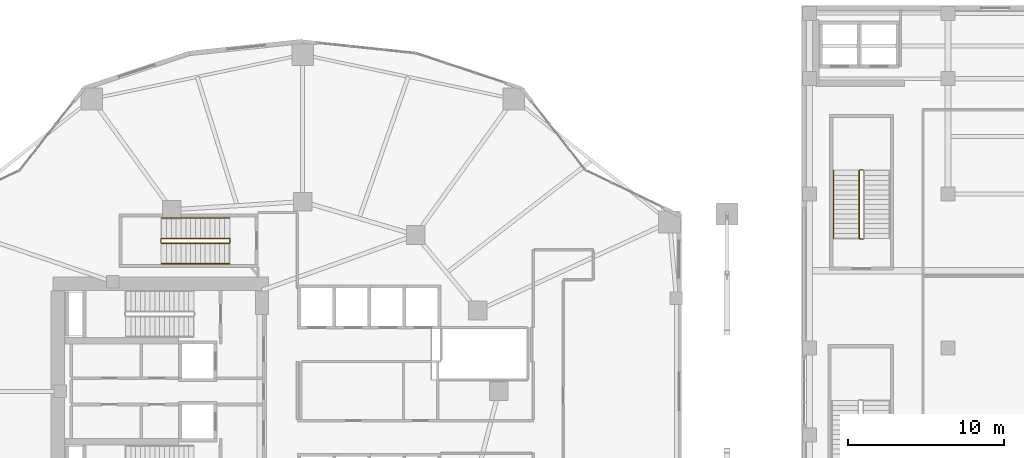
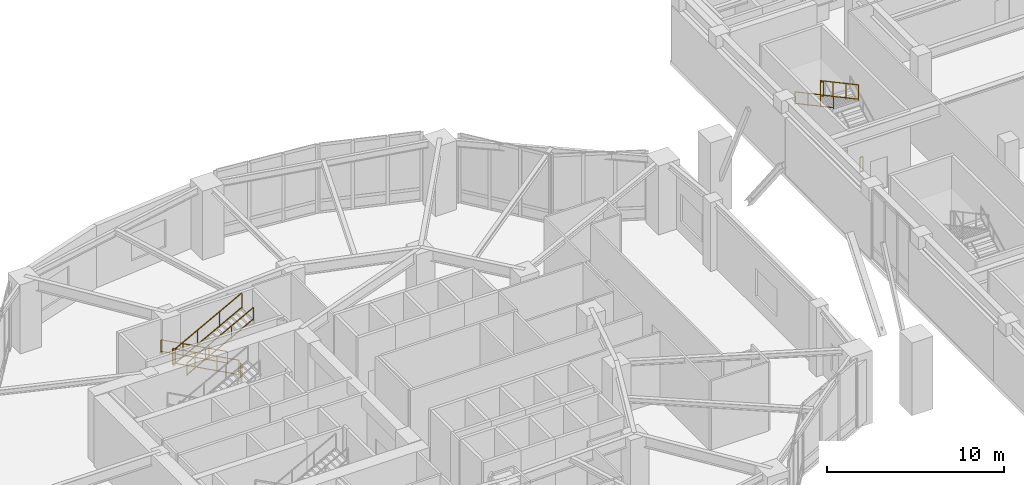
# One storey, part 23 of 24: 10 railings.
"""IFC4 building model written with IfcOpenShell, lengths in metres."""

import ifcopenshell
import ifcopenshell.guid

model = None  # the IFC model being written
_history = None  # IfcOwnerHistory: only IFC2X3 demands one
_inside = {}  # id of a spatial element -> (the spatial element, [elements in it])
_under = {}  # id of a project, library or spatial element -> (it, [spatial elements below it])
_declared = {}  # id of a project -> (the project, [libraries it declares])
_typed = {}  # id of a type object -> (the type object, [elements of that type])
_made_of = {}  # id of a material, layer set ... -> (it, [elements and type objects made of it])


def new_model(schema):
    """Start an empty IFC model of exactly this schema.

    Asked for "IFC4X3", IfcOpenShell would pick the latest addendum, in which some entities
    have other attributes; the version numbers below select the first issue.
    IFC2X3 requires an IfcOwnerHistory on every rooted entity: one is made here for all.
    """
    global model, _history
    if schema == "IFC4X3":
        model = ifcopenshell.file(schema_version=(4, 3, 0, 0))
    else:
        model = ifcopenshell.file(schema=schema)
    _inside.clear()
    _under.clear()
    _declared.clear()
    _typed.clear()
    _made_of.clear()
    _history = None
    if model.schema == "IFC2X3":
        org = make("IfcOrganization", Name="unknown")
        user = make(
            "IfcPersonAndOrganization",
            ThePerson=make("IfcPerson", FamilyName="unknown"),
            TheOrganization=org,
        )
        app = make(
            "IfcApplication",
            ApplicationDeveloper=org,
            Version="unknown",
            ApplicationFullName="unknown",
            ApplicationIdentifier="unknown",
        )
        _history = make(
            "IfcOwnerHistory",
            OwningUser=user,
            OwningApplication=app,
            ChangeAction="ADDED",
            CreationDate=0,
        )
    return model


def make(cls, **values):
    """One entity of the class cls with the attributes given. An attribute that is None is left unset."""
    return model.create_entity(
        cls, **{name: value for name, value in values.items() if value is not None}
    )


def rooted(cls, **values):
    """An entity with a GlobalId (a new one), such as an element, a storey or a relation."""
    return make(cls, GlobalId=ifcopenshell.guid.new(), OwnerHistory=_history, **values)


def si_unit(unit_type, name, prefix=None):
    """IfcSIUnit, for example si_unit("LENGTHUNIT", "METRE", prefix="MILLI")."""
    return make("IfcSIUnit", UnitType=unit_type, Prefix=prefix, Name=name)


def assignment(units):
    """IfcUnitAssignment: the units of a project."""
    return None if units is None else make("IfcUnitAssignment", Units=units)


def point(xyz):
    """IfcCartesianPoint."""
    return None if xyz is None else make("IfcCartesianPoint", Coordinates=xyz)


def direction(xyz):
    """IfcDirection."""
    return None if xyz is None else make("IfcDirection", DirectionRatios=xyz)


def frame(location, z_axis=None, x_axis=None):
    """IfcAxis2Placement3D, a coordinate frame: its origin and axes. An axis left out is left unset."""
    return make(
        "IfcAxis2Placement3D",
        Location=point(location),
        Axis=direction(z_axis),
        RefDirection=direction(x_axis),
    )


def frame_2d(location, x_axis=None):
    """IfcAxis2Placement2D, a coordinate frame in the plane: its origin and x axis."""
    return make(
        "IfcAxis2Placement2D", Location=point(location), RefDirection=direction(x_axis)
    )


def origin():
    """The frame at (0, 0, 0) with its axes left unset."""
    return frame((0.0, 0.0, 0.0))


def origin_2d():
    """The frame at (0, 0) in the plane with its x axis left unset."""
    return frame_2d((0.0, 0.0))


def place(relative_to, where):
    """IfcLocalPlacement: puts the frame where relative to a parent placement (None: the world)."""
    return make(
        "IfcLocalPlacement", PlacementRelTo=relative_to, RelativePlacement=where
    )


def context(
    kind, dimensions, precision=None, world=None, true_north=None, identifier=None
):
    """IfcGeometricRepresentationContext, for example the 3D "Model" context."""
    return make(
        "IfcGeometricRepresentationContext",
        ContextIdentifier=identifier,
        ContextType=kind,
        CoordinateSpaceDimension=dimensions,
        Precision=precision,
        WorldCoordinateSystem=world,
        TrueNorth=true_north,
    )


def subcontext(parent, identifier, kind, view, scale=None):
    """IfcGeometricRepresentationSubContext, for example "Body" below "Model"."""
    return make(
        "IfcGeometricRepresentationSubContext",
        ContextIdentifier=identifier,
        ContextType=kind,
        ParentContext=parent,
        TargetScale=scale,
        TargetView=view,
    )


def project(units=None, contexts=None):
    """IfcProject with its units and contexts."""
    return rooted(
        "IfcProject",
        Name="project",
        RepresentationContexts=contexts,
        UnitsInContext=assignment(units),
    )


def spatial(cls, under=None, at=None, **own):
    """A site, building, storey or space (cls), placed at a placement, below another one or the project."""
    s = rooted(cls, ObjectPlacement=at, **own)
    if under is not None:
        _under.setdefault(under.id(), (under, []))[1].append(s)
    return s


def profile(cls, at=None, kind="AREA", **sizes):
    """A parametric profile (cls). Its sizes go by their IFC names, for example OverallWidth=200.0."""
    return make(cls, ProfileType=kind, Position=at, **sizes)


def rectangle(**sizes):
    """IfcRectangleProfileDef."""
    return profile("IfcRectangleProfileDef", **sizes)


def extrude(swept, where, along, depth):
    """IfcExtrudedAreaSolid: the profile swept, set in the frame where, extruded along a direction by depth."""
    return make(
        "IfcExtrudedAreaSolid",
        SweptArea=swept,
        Position=where,
        ExtrudedDirection=direction(along),
        Depth=depth,
    )


def shape(context_of_items, identifier, shape_type, items):
    """IfcShapeRepresentation: the items that make up one representation, for example the "Body"."""
    return make(
        "IfcShapeRepresentation",
        ContextOfItems=context_of_items,
        RepresentationIdentifier=identifier,
        RepresentationType=shape_type,
        Items=items,
    )


def material(Name=None, Category=None):
    """IfcMaterial."""
    return make("IfcMaterial", Name=Name, Category=Category)


def made_of(thing, what):
    """Note that an element or type object is made of a material, layer set ...; save() writes the relation."""
    if what is not None:
        _made_of.setdefault(what.id(), (what, []))[1].append(thing)
    return thing


def type_object(cls, material=None, **own):
    """A type object (cls), such as IfcWallType, which elements share."""
    return made_of(rooted(cls, **own), material)


def element(
    cls,
    number,
    at=None,
    inside=None,
    cuts=None,
    type_object=None,
    material=None,
    context=None,
    identifier="Body",
    shape_type=None,
    held_by="IfcProductDefinitionShape",
    body=None,
    shapes=None,
    **own,
):
    """One element of the class cls, such as IfcWall. Its Tag is "e" and its number.

    at: its placement. inside: the storey or other place that contains it. cuts: it is an
    opening in that element (IfcRelVoidsElement). A single representation is given by context,
    identifier, shape_type and body (its items); several are given by shapes. held_by: the class
    of the entity that holds the representations. save() writes the other relations.
    """
    e = rooted(cls, Tag="e%d" % number, ObjectPlacement=at, **own)
    if body is not None:
        shapes = [shape(context, identifier, shape_type, body)]
    if shapes is not None:
        e.Representation = make(held_by, Representations=shapes)
    if inside is not None:
        _inside.setdefault(inside.id(), (inside, []))[1].append(e)
    if cuts is not None:
        rooted(
            "IfcRelVoidsElement", RelatingBuildingElement=cuts, RelatedOpeningElement=e
        )
    if type_object is not None:
        _typed.setdefault(type_object.id(), (type_object, []))[1].append(e)
    return made_of(e, material)


def aggregate(whole, parts):
    """IfcRelAggregates: a whole, such as a stair, and the parts it consists of."""
    return rooted("IfcRelAggregates", RelatingObject=whole, RelatedObjects=parts)


def save(model, path):
    """Write the relations noted so far, then the file.

    IfcRelAggregates (storeys below a building ...), IfcRelContainedInSpatialStructure (elements
    in a storey), IfcRelDefinesByType, IfcRelAssociatesMaterial and IfcRelDeclares: one each for
    every whole, place, type object, material and project.
    """
    for whole, parts in _under.values():
        aggregate(whole, parts)
    for where, things in _inside.values():
        rooted(
            "IfcRelContainedInSpatialStructure",
            RelatedElements=things,
            RelatingStructure=where,
        )
    for kind, things in _typed.values():
        rooted("IfcRelDefinesByType", RelatedObjects=things, RelatingType=kind)
    for what, things in _made_of.values():
        rooted("IfcRelAssociatesMaterial", RelatedObjects=things, RelatingMaterial=what)
    for by, libraries in _declared.values():
        rooted("IfcRelDeclares", RelatingContext=by, RelatedDefinitions=libraries)
    model.write(path)


model = new_model("IFC4")

# Units and contexts
model_context = context("Model", 3, precision=1e-05, world=origin(), true_north=direction((0.0, 1.0)))
body_context = subcontext(model_context, "Body", "Model", "MODEL_VIEW")
ifc_project = project(units=[si_unit("LENGTHUNIT", "METRE"), si_unit("AREAUNIT", "SQUARE_METRE"), si_unit("VOLUMEUNIT", "CUBIC_METRE"), si_unit("PLANEANGLEUNIT", "RADIAN"), si_unit("MASSUNIT", "GRAM", prefix="KILO")], contexts=[model_context])

# Site, building, storey
site_placement = place(None, origin())
site = spatial("IfcSite", under=ifc_project, at=site_placement, CompositionType="ELEMENT")
building_placement = place(site_placement, origin())
building = spatial("IfcBuilding", under=site, at=building_placement, Name="Kolvaren Gate Tower and Convention Centre", CompositionType="ELEMENT")
storey_placement = place(building_placement, frame((0.0, 0.0, 10.0)))
storey = spatial("IfcBuildingStorey", under=building, at=storey_placement, Name="L02", CompositionType="ELEMENT", Elevation=10.0)

# Railings
ifc_material = material(Name="Brushed Stainless Steel Grade 316L", Category="steel")
railing_type_1 = type_object("IfcRailingType", Name="ARCH-RL-GUARD-1150", PredefinedType="GUARDRAIL", material=ifc_material)
railing_1_placement = place(storey_placement, frame((25.39990234375, 36.830078125, 0.166748046875)))
element("IfcRailing", 1, at=railing_1_placement, inside=storey, type_object=railing_type_1, Name="L02 ST-T3 stair guard 1", PredefinedType="GUARDRAIL", context=body_context, shape_type="SweptSolid", body=[
    extrude(rectangle(XDim=0.048095703125, YDim=0.048095703125, at=origin_2d()), frame((0.0, 0.0, 1.076171875), z_axis=(-0.8807748016, 0.0, 0.47353537235), x_axis=(0.0, -1.0, 0.0)), (0.0, 0.0, 1.0), 4.92724609375),
    extrude(rectangle(XDim=0.048095703125, YDim=0.048095703125, at=origin_2d()), frame((0.0, 0.0, 0.083984375), z_axis=(-0.8807748016, 0.0, 0.47353537235), x_axis=(0.0, -1.0, 0.0)), (0.0, 0.0, 1.0), 4.92724609375),
    extrude(rectangle(XDim=0.0419921875, YDim=0.0419921875, at=origin_2d()), origin(), (0.0, 0.0, 1.0), 1.050048828125),
    extrude(rectangle(XDim=0.0419921875, YDim=0.0419921875, at=origin_2d()), frame((-4.33984375, 0.0, 2.333251953125)), (0.0, 0.0, 1.0), 1.050048828125),
    extrude(rectangle(XDim=0.0419921875, YDim=0.0419921875, at=origin_2d()), frame((-1.446533203125, 0.0, 0.77783203125)), (0.0, 0.0, 1.0), 1.050048828125),
    extrude(rectangle(XDim=0.0419921875, YDim=0.0419921875, at=origin_2d()), frame((-2.893310546875, 0.0, 1.555419921875)), (0.0, 0.0, 1.0), 1.050048828125),
])
railing_2_placement = place(storey_placement, frame((21.010009765625, 36.780029296875, 2.5)))
element("IfcRailing", 2, at=railing_2_placement, inside=storey, type_object=railing_type_1, Name="L02 ST-T3 stair guard 2", PredefinedType="GUARDRAIL", context=body_context, shape_type="SweptSolid", body=[
    extrude(rectangle(XDim=0.048095703125, YDim=0.048095703125, at=origin_2d()), frame((0.0, 0.0, 1.076171875), z_axis=(0.0, -1.0, 0.0), x_axis=(1.0, 0.0, 0.0)), (0.0, 0.0, 1.0), 0.199951171875),
    extrude(rectangle(XDim=0.048095703125, YDim=0.048095703125, at=origin_2d()), frame((0.0, 0.0, 0.083984375), z_axis=(0.0, -1.0, 0.0), x_axis=(1.0, 0.0, 0.0)), (0.0, 0.0, 1.0), 0.199951171875),
    extrude(rectangle(XDim=0.0419921875, YDim=0.0419921875, at=origin_2d()), origin(), (0.0, 0.0, 1.0), 1.050048828125),
    extrude(rectangle(XDim=0.0419921875, YDim=0.0419921875, at=origin_2d()), frame((0.0, -0.199951171875, 0.0)), (0.0, 0.0, 1.0), 1.050048828125),
])
railing_3_placement = place(storey_placement, frame((21.06005859375, 36.530029296875, 2.666748046875)))
element("IfcRailing", 3, at=railing_3_placement, inside=storey, type_object=railing_type_1, Name="L02 ST-T3 stair guard 3", PredefinedType="GUARDRAIL", context=body_context, shape_type="SweptSolid", body=[
    extrude(rectangle(XDim=0.048095703125, YDim=0.048095703125, at=origin_2d()), frame((0.0, 0.0, 1.076171875), z_axis=(0.8807748016, 0.0, 0.47353537235), x_axis=(0.0, 1.0, 0.0)), (0.0, 0.0, 1.0), 4.92724609375),
    extrude(rectangle(XDim=0.048095703125, YDim=0.048095703125, at=origin_2d()), frame((0.0, 0.0, 0.083984375), z_axis=(0.8807748016, 0.0, 0.47353537235), x_axis=(0.0, 1.0, 0.0)), (0.0, 0.0, 1.0), 4.92724609375),
    extrude(rectangle(XDim=0.0419921875, YDim=0.0419921875, at=origin_2d()), origin(), (0.0, 0.0, 1.0), 1.050048828125),
    extrude(rectangle(XDim=0.0419921875, YDim=0.0419921875, at=origin_2d()), frame((4.33984375, 0.0, 2.333251953125)), (0.0, 0.0, 1.0), 1.050048828125),
    extrude(rectangle(XDim=0.0419921875, YDim=0.0419921875, at=origin_2d()), frame((1.446533203125, 0.0, 0.77783203125)), (0.0, 0.0, 1.0), 1.050048828125),
    extrude(rectangle(XDim=0.0419921875, YDim=0.0419921875, at=origin_2d()), frame((2.893310546875, 0.0, 1.555419921875)), (0.0, 0.0, 1.0), 1.050048828125),
])
railing_4_placement = place(storey_placement, frame((25.449951171875, 36.780029296875, 0.0)))
element("IfcRailing", 4, at=railing_4_placement, inside=storey, type_object=railing_type_1, Name="L02 ST-T3 stair guard 4", PredefinedType="GUARDRAIL", context=body_context, shape_type="SweptSolid", body=[
    extrude(rectangle(XDim=0.048095703125, YDim=0.048095703125, at=origin_2d()), frame((0.0, 0.0, 1.076171875), z_axis=(0.0, -1.0, 0.0), x_axis=(1.0, 0.0, 0.0)), (0.0, 0.0, 1.0), 0.199951171875),
    extrude(rectangle(XDim=0.048095703125, YDim=0.048095703125, at=origin_2d()), frame((0.0, 0.0, 0.083984375), z_axis=(0.0, -1.0, 0.0), x_axis=(1.0, 0.0, 0.0)), (0.0, 0.0, 1.0), 0.199951171875),
    extrude(rectangle(XDim=0.0419921875, YDim=0.0419921875, at=origin_2d()), origin(), (0.0, 0.0, 1.0), 1.050048828125),
    extrude(rectangle(XDim=0.0419921875, YDim=0.0419921875, at=origin_2d()), frame((0.0, -0.199951171875, 0.0)), (0.0, 0.0, 1.0), 1.050048828125),
])
railing_5_placement = place(storey_placement, frame((66.14990234375, 41.239990234375, 2.5)))
element("IfcRailing", 5, at=railing_5_placement, inside=storey, type_object=railing_type_1, Name="L02 ST-C1 stair guard 2", PredefinedType="GUARDRAIL", context=body_context, shape_type="SweptSolid", body=[
    extrude(rectangle(XDim=0.048095703125, YDim=0.048095703125, at=origin_2d()), frame((0.0, 0.0, 1.076171875), z_axis=(-1.0, 0.0, 0.0), x_axis=(0.0, -1.0, 0.0)), (0.0, 0.0, 1.0), 0.199951171875),
    extrude(rectangle(XDim=0.048095703125, YDim=0.048095703125, at=origin_2d()), frame((0.0, 0.0, 0.083984375), z_axis=(-1.0, 0.0, 0.0), x_axis=(0.0, -1.0, 0.0)), (0.0, 0.0, 1.0), 0.199951171875),
    extrude(rectangle(XDim=0.0419921875, YDim=0.0419921875, at=origin_2d()), origin(), (0.0, 0.0, 1.0), 1.050048828125),
    extrude(rectangle(XDim=0.0419921875, YDim=0.0419921875, at=origin_2d()), frame((-0.199951171875, 0.0, 0.0)), (0.0, 0.0, 1.0), 1.050048828125),
])
railing_6_placement = place(storey_placement, frame((65.89990234375, 41.18994140625, 2.666748046875)))
element("IfcRailing", 6, at=railing_6_placement, inside=storey, type_object=railing_type_1, Name="L02 ST-C1 stair guard 3", PredefinedType="GUARDRAIL", context=body_context, shape_type="SweptSolid", body=[
    extrude(rectangle(XDim=0.048095703125, YDim=0.048095703125, at=origin_2d()), frame((0.0, 0.0, 1.076171875), z_axis=(0.0, -0.8807748016, 0.47353537235), x_axis=(1.0, 0.0, 0.0)), (0.0, 0.0, 1.0), 4.92724609375),
    extrude(rectangle(XDim=0.048095703125, YDim=0.048095703125, at=origin_2d()), frame((0.0, 0.0, 0.083984375), z_axis=(0.0, -0.8807748016, 0.47353537235), x_axis=(1.0, 0.0, 0.0)), (0.0, 0.0, 1.0), 4.92724609375),
    extrude(rectangle(XDim=0.0419921875, YDim=0.0419921875, at=origin_2d()), origin(), (0.0, 0.0, 1.0), 1.050048828125),
    extrude(rectangle(XDim=0.0419921875, YDim=0.0419921875, at=origin_2d()), frame((0.0, -4.33984375, 2.333251953125)), (0.0, 0.0, 1.0), 1.050048828125),
    extrude(rectangle(XDim=0.0419921875, YDim=0.0419921875, at=origin_2d()), frame((0.0, -1.446533203125, 0.77783203125)), (0.0, 0.0, 1.0), 1.050048828125),
    extrude(rectangle(XDim=0.0419921875, YDim=0.0419921875, at=origin_2d()), frame((0.0, -2.893310546875, 1.555419921875)), (0.0, 0.0, 1.0), 1.050048828125),
])
railing_7_placement = place(storey_placement, frame((66.14990234375, 36.800048828125, 0.0)))
element("IfcRailing", 7, at=railing_7_placement, inside=storey, type_object=railing_type_1, Name="L02 ST-C1 stair guard 4", PredefinedType="GUARDRAIL", context=body_context, shape_type="SweptSolid", body=[
    extrude(rectangle(XDim=0.048095703125, YDim=0.048095703125, at=origin_2d()), frame((0.0, 0.0, 1.076171875), z_axis=(-1.0, 0.0, 0.0), x_axis=(0.0, -1.0, 0.0)), (0.0, 0.0, 1.0), 0.199951171875),
    extrude(rectangle(XDim=0.048095703125, YDim=0.048095703125, at=origin_2d()), frame((0.0, 0.0, 0.083984375), z_axis=(-1.0, 0.0, 0.0), x_axis=(0.0, -1.0, 0.0)), (0.0, 0.0, 1.0), 0.199951171875),
    extrude(rectangle(XDim=0.0419921875, YDim=0.0419921875, at=origin_2d()), origin(), (0.0, 0.0, 1.0), 1.050048828125),
    extrude(rectangle(XDim=0.0419921875, YDim=0.0419921875, at=origin_2d()), frame((-0.199951171875, 0.0, 0.0)), (0.0, 0.0, 1.0), 1.050048828125),
])
railing_type_2 = type_object("IfcRailingType", Name="ARCH-RL-HANDRAIL-920", PredefinedType="HANDRAIL", material=ifc_material)
railing_8_placement = place(storey_placement, frame((25.39990234375, 38.14990234375, 0.166748046875)))
element("IfcRailing", 8, at=railing_8_placement, inside=storey, type_object=railing_type_2, Name="L02 ST-T3 stair handrail 1", PredefinedType="HANDRAIL", context=body_context, shape_type="SweptSolid", body=[
    extrude(rectangle(XDim=0.048095703125, YDim=0.048095703125, at=origin_2d()), frame((0.0, 0.0, 0.8759765625), z_axis=(-0.8807748016, 0.0, 0.47353537235), x_axis=(0.0, -1.0, 0.0)), (0.0, 0.0, 1.0), 4.92724609375),
    extrude(rectangle(XDim=0.048095703125, YDim=0.048095703125, at=origin_2d()), frame((0.0, 0.0, 0.083984375), z_axis=(-0.8807748016, 0.0, 0.47353537235), x_axis=(0.0, -1.0, 0.0)), (0.0, 0.0, 1.0), 4.92724609375),
    extrude(rectangle(XDim=0.0419921875, YDim=0.0419921875, at=origin_2d()), origin(), (0.0, 0.0, 1.0), 0.849853515625),
    extrude(rectangle(XDim=0.0419921875, YDim=0.0419921875, at=origin_2d()), frame((-4.33984375, 0.0, 2.333251953125)), (0.0, 0.0, 1.0), 0.849853515625),
    extrude(rectangle(XDim=0.0419921875, YDim=0.0419921875, at=origin_2d()), frame((-1.446533203125, 0.0, 0.77783203125)), (0.0, 0.0, 1.0), 0.849853515625),
    extrude(rectangle(XDim=0.0419921875, YDim=0.0419921875, at=origin_2d()), frame((-2.893310546875, 0.0, 1.555419921875)), (0.0, 0.0, 1.0), 0.849853515625),
])
railing_9_placement = place(storey_placement, frame((21.06005859375, 35.2099609375, 2.666748046875)))
element("IfcRailing", 9, at=railing_9_placement, inside=storey, type_object=railing_type_2, Name="L02 ST-T3 stair handrail 2", PredefinedType="HANDRAIL", context=body_context, shape_type="SweptSolid", body=[
    extrude(rectangle(XDim=0.048095703125, YDim=0.048095703125, at=origin_2d()), frame((0.0, 0.0, 0.8759765625), z_axis=(0.8807748016, 0.0, 0.47353537235), x_axis=(0.0, 1.0, 0.0)), (0.0, 0.0, 1.0), 4.92724609375),
    extrude(rectangle(XDim=0.048095703125, YDim=0.048095703125, at=origin_2d()), frame((0.0, 0.0, 0.083984375), z_axis=(0.8807748016, 0.0, 0.47353537235), x_axis=(0.0, 1.0, 0.0)), (0.0, 0.0, 1.0), 4.92724609375),
    extrude(rectangle(XDim=0.0419921875, YDim=0.0419921875, at=origin_2d()), origin(), (0.0, 0.0, 1.0), 0.849853515625),
    extrude(rectangle(XDim=0.0419921875, YDim=0.0419921875, at=origin_2d()), frame((4.33984375, 0.0, 2.333251953125)), (0.0, 0.0, 1.0), 0.849853515625),
    extrude(rectangle(XDim=0.0419921875, YDim=0.0419921875, at=origin_2d()), frame((1.446533203125, 0.0, 0.77783203125)), (0.0, 0.0, 1.0), 0.849853515625),
    extrude(rectangle(XDim=0.0419921875, YDim=0.0419921875, at=origin_2d()), frame((2.893310546875, 0.0, 1.555419921875)), (0.0, 0.0, 1.0), 0.849853515625),
])
railing_10_placement = place(storey_placement, frame((64.25, 41.18994140625, 2.666748046875)))
element("IfcRailing", 10, at=railing_10_placement, inside=storey, type_object=railing_type_2, Name="L02 ST-C1 stair handrail 2", PredefinedType="HANDRAIL", context=body_context, shape_type="SweptSolid", body=[
    extrude(rectangle(XDim=0.048095703125, YDim=0.048095703125, at=origin_2d()), frame((0.0, 0.0, 0.8759765625), z_axis=(0.0, -0.8807748016, 0.47353537235), x_axis=(1.0, 0.0, 0.0)), (0.0, 0.0, 1.0), 4.92724609375),
    extrude(rectangle(XDim=0.048095703125, YDim=0.048095703125, at=origin_2d()), frame((0.0, 0.0, 0.083984375), z_axis=(0.0, -0.8807748016, 0.47353537235), x_axis=(1.0, 0.0, 0.0)), (0.0, 0.0, 1.0), 4.92724609375),
    extrude(rectangle(XDim=0.0419921875, YDim=0.0419921875, at=origin_2d()), origin(), (0.0, 0.0, 1.0), 0.849853515625),
    extrude(rectangle(XDim=0.0419921875, YDim=0.0419921875, at=origin_2d()), frame((0.0, -4.33984375, 2.333251953125)), (0.0, 0.0, 1.0), 0.849853515625),
    extrude(rectangle(XDim=0.0419921875, YDim=0.0419921875, at=origin_2d()), frame((0.0, -1.446533203125, 0.77783203125)), (0.0, 0.0, 1.0), 0.849853515625),
    extrude(rectangle(XDim=0.0419921875, YDim=0.0419921875, at=origin_2d()), frame((0.0, -2.893310546875, 1.555419921875)), (0.0, 0.0, 1.0), 0.849853515625),
])

save(model, "model.ifc")
